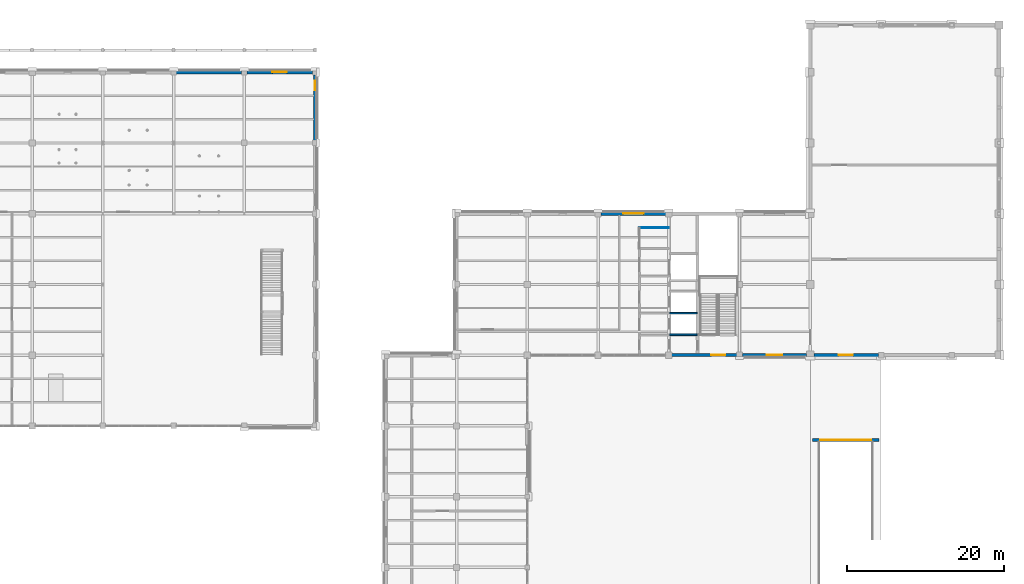
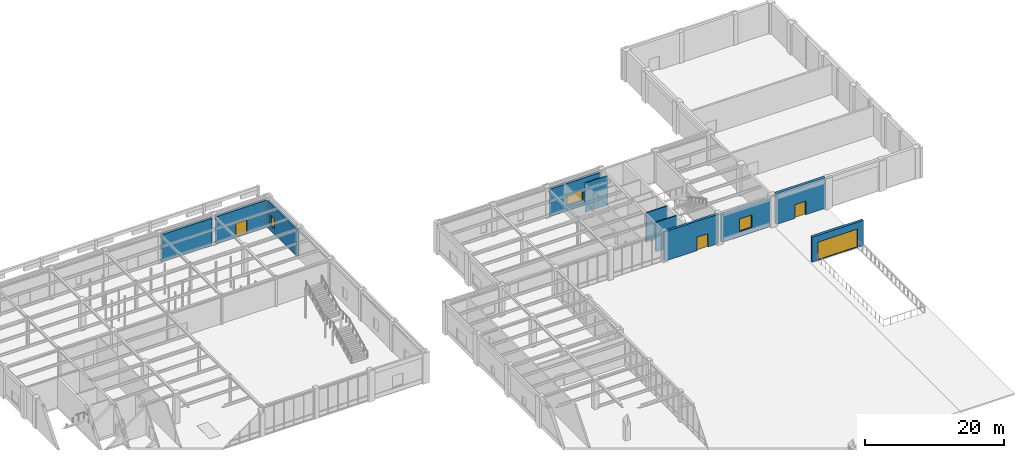
# One storey, part 69 of 77: 11 walls, 4 doors, 3 windows, 7 openings.
"""IFC4 building model written with IfcOpenShell, lengths in metres."""

from ifc_helpers import new_model, si_unit, direction, frame, frame_2d, origin, place, context, subcontext, project, spatial, rectangle, extrude, material, layer, layer_set, type_object, element, fill, save


model = new_model("IFC4")

# Units and contexts
model_context = context("Model", 3, precision=1e-05, world=origin(), true_north=direction((0.0, 1.0)))
body_context = subcontext(model_context, "Body", "Model", "MODEL_VIEW")
ifc_project = project(units=[si_unit("LENGTHUNIT", "METRE"), si_unit("AREAUNIT", "SQUARE_METRE"), si_unit("VOLUMEUNIT", "CUBIC_METRE"), si_unit("PLANEANGLEUNIT", "RADIAN"), si_unit("MASSUNIT", "GRAM", prefix="KILO")], contexts=[model_context])

# Site, building, storey
site_placement = place(None, origin())
site = spatial("IfcSite", under=ifc_project, at=site_placement, CompositionType="ELEMENT")
building_placement = place(site_placement, origin())
building = spatial("IfcBuilding", under=site, at=building_placement, Name="Lykobir Media Centre", CompositionType="ELEMENT")
storey_placement = place(building_placement, origin())
storey = spatial("IfcBuildingStorey", under=building, at=storey_placement, Name="L00", CompositionType="ELEMENT", Elevation=0.0)

# Wall, opening, door
ifc_material_1 = material(Name="Concrete C35/45", Category="concrete")
ifc_layer_1 = layer(ifc_material_1, 0.4599609375, Name="Concrete C35/45")
ifc_layer_set_1 = layer_set([ifc_layer_1], Name="Concrete C35/45")
wall_type_1 = type_object("IfcWallType", Name="EW-ACO-460", PredefinedType="STANDARD", material=ifc_layer_set_1)
wall_1_placement = place(storey_placement, frame((144.485107421875, 72.0, 0.0), z_axis=(0.0, 0.0, 1.0), x_axis=(1.0, 0.0, 0.0)))
wall_1 = element("IfcWall", 1, at=wall_1_placement, inside=storey, type_object=wall_type_1, Name="Exterior wall WALL-L00-0058", PredefinedType="STANDARD", context=body_context, shape_type="SweptSolid", body=[
    extrude(rectangle(XDim=8.179931640625, YDim=0.4599609375, at=frame_2d((4.08984375, 0.0))), origin(), (0.0, 0.0, 1.0), 5.39990234375),
])
opening_1_placement = place(wall_1_placement, frame((3.114990234375, 0.0, 0.0)))
opening_1 = element("IfcOpeningElement", 2, at=opening_1_placement, cuts=wall_1, Name="Opening D-L00-TVE1", PredefinedType="OPENING", context=body_context, shape_type="SweptSolid", body=[
    extrude(rectangle(XDim=1.800048828125, YDim=2.39990234375, at=frame_2d((0.89990234375, 1.199951171875))), frame((0.0, 0.239990234375, 0.0), z_axis=(0.0, -1.0, 0.0), x_axis=(1.0, 0.0, 0.0)), (0.0, 0.0, 1.0), 0.47998046875),
])
ifc_material_2 = material(Name="Anodized Aluminium AW-6060", Category="aluminium")
door_type_1 = type_object("IfcDoorType", Name="ED-1800x2400", OperationType="NOTDEFINED", PredefinedType="DOOR", material=ifc_material_2)
door_1_placement = place(opening_1_placement, frame((1.800048828125, 0.0, 0.0), z_axis=(0.0, 0.0, 1.0), x_axis=(-1.0, 0.0, 0.0)))
door_1 = element("IfcDoor", 3, at=door_1_placement, inside=storey, type_object=door_type_1, Name="Broadcast Studio A south exit door", OperationType="DOUBLE_DOOR_SINGLE_SWING", OverallHeight=2.39990234375, OverallWidth=1.800048828125, PredefinedType="DOOR", context=body_context, shape_type="SweptSolid", body=[
    extrude(rectangle(XDim=1.800048828125, YDim=2.39990234375, at=frame_2d((0.89990234375, 1.199951171875))), frame((0.0, 0.02490234375, 0.0), z_axis=(0.0, -1.0, 0.0), x_axis=(1.0, 0.0, 0.0)), (0.0, 0.0, 1.0), 0.050048828125),
])
fill(opening_1, door_1)

# Wall, opening, window
ifc_material_3 = material(Name="Honed Travertine Stone", Category="masonry")
ifc_layer_2 = layer(ifc_material_3, 0.419921875, Name="Honed Travertine Stone")
ifc_layer_set_2 = layer_set([ifc_layer_2], Name="Honed Travertine Stone")
wall_type_2 = type_object("IfcWallType", Name="EW-TRAV-420", PredefinedType="STANDARD", material=ifc_layer_set_2)
wall_2_placement = place(storey_placement, frame((125.614990234375, 90.0, 0.0), z_axis=(0.0, 0.0, 1.0), x_axis=(-1.0, 0.0, 0.0)))
wall_2 = element("IfcWall", 4, at=wall_2_placement, inside=storey, type_object=wall_type_2, Name="Exterior wall WALL-L00-0074", PredefinedType="STANDARD", context=body_context, shape_type="SweptSolid", body=[
    extrude(rectangle(XDim=8.22998046875, YDim=0.419921875, at=frame_2d((4.114990234375, 0.0))), origin(), (0.0, 0.0, 1.0), 4.794921875),
])
opening_2_placement = place(wall_2_placement, frame((2.81494140625, 0.0, 0.89990234375)))
opening_2 = element("IfcOpeningElement", 5, at=opening_2_placement, cuts=wall_2, Name="Opening WN-2600x1800", PredefinedType="OPENING", context=body_context, shape_type="SweptSolid", body=[
    extrude(rectangle(XDim=2.60009765625, YDim=1.800048828125, at=frame_2d((1.300048828125, 0.89990234375))), frame((0.0, 0.219970703125, 0.0), z_axis=(0.0, -1.0, 0.0), x_axis=(1.0, 0.0, 0.0)), (0.0, 0.0, 1.0), 0.43994140625),
])
ifc_material_4 = material(Name="Low-E Laminated Triple Glazing", Category="glass")
window_type_1 = type_object("IfcWindowType", Name="WN-2600x1800", PartitioningType="SINGLE_PANEL", PredefinedType="WINDOW", material=ifc_material_4)
window_1_placement = place(opening_2_placement, origin())
window_1 = element("IfcWindow", 6, at=window_1_placement, inside=storey, type_object=window_type_1, Name="Window WIN-L00-0003", OverallHeight=1.800048828125, OverallWidth=2.60009765625, PartitioningType="SINGLE_PANEL", PredefinedType="WINDOW", context=body_context, shape_type="SweptSolid", body=[
    extrude(rectangle(XDim=2.60009765625, YDim=1.800048828125, at=frame_2d((1.300048828125, 0.89990234375))), frame((0.0, 0.030029296875, 0.0), z_axis=(0.0, -1.0, 0.0), x_axis=(1.0, 0.0, 0.0)), (0.0, 0.0, 1.0), 0.06005859375),
])
fill(opening_2, window_1)

wall_3_placement = place(storey_placement, frame((135.385009765625, 72.0, 0.0), z_axis=(0.0, 0.0, 1.0), x_axis=(1.0, 0.0, 0.0)))
wall_3 = element("IfcWall", 7, at=wall_3_placement, inside=storey, type_object=wall_type_2, Name="Exterior wall WALL-L00-0092", PredefinedType="STANDARD", context=body_context, shape_type="SweptSolid", body=[
    extrude(rectangle(XDim=8.1298828125, YDim=0.419921875, at=frame_2d((4.06494140625, 0.0))), origin(), (0.0, 0.0, 1.0), 4.794921875),
])
opening_3_placement = place(wall_3_placement, frame((3.06494140625, 0.0, 0.89990234375)))
opening_3 = element("IfcOpeningElement", 8, at=opening_3_placement, cuts=wall_3, Name="Opening WN-2000x2200", PredefinedType="OPENING", context=body_context, shape_type="SweptSolid", body=[
    extrude(rectangle(XDim=2.0, YDim=2.199951171875, at=frame_2d((1.0, 1.10009765625))), frame((0.0, 0.219970703125, 0.0), z_axis=(0.0, -1.0, 0.0), x_axis=(1.0, 0.0, 0.0)), (0.0, 0.0, 1.0), 0.43994140625),
])
window_type_2 = type_object("IfcWindowType", Name="WN-2000x2200", PartitioningType="SINGLE_PANEL", PredefinedType="WINDOW", material=ifc_material_4)
window_2_placement = place(opening_3_placement, origin())
window_2 = element("IfcWindow", 9, at=window_2_placement, inside=storey, type_object=window_type_2, Name="Window WIN-L00-0016", OverallHeight=2.199951171875, OverallWidth=2.0, PartitioningType="SINGLE_PANEL", PredefinedType="WINDOW", context=body_context, shape_type="SweptSolid", body=[
    extrude(rectangle(XDim=2.0, YDim=2.199951171875, at=frame_2d((1.0, 1.10009765625))), frame((0.0, 0.030029296875, 0.0), z_axis=(0.0, -1.0, 0.0), x_axis=(1.0, 0.0, 0.0)), (0.0, 0.0, 1.0), 0.06005859375),
])
fill(opening_3, window_2)

wall_4_placement = place(storey_placement, frame((81.0, 99.3349609375, 0.0), z_axis=(0.0, 0.0, 1.0), x_axis=(0.0, 1.0, 0.0)))
wall_4 = element("IfcWall", 10, at=wall_4_placement, inside=storey, type_object=wall_type_2, Name="Exterior wall WALL-L00-0100", PredefinedType="STANDARD", context=body_context, shape_type="SweptSolid", body=[
    extrude(rectangle(XDim=8.330078125, YDim=0.419921875, at=frame_2d((4.1650390625, 0.0))), origin(), (0.0, 0.0, 1.0), 4.794921875),
])
opening_4_placement = place(wall_4_placement, frame((6.3798828125, 0.0, 0.89990234375)))
opening_4 = element("IfcOpeningElement", 11, at=opening_4_placement, cuts=wall_4, Name="Opening WN-1200x1800", PredefinedType="OPENING", context=body_context, shape_type="SweptSolid", body=[
    extrude(rectangle(XDim=1.199951171875, YDim=1.800048828125, at=frame_2d((0.60009765625, 0.89990234375))), frame((0.0, 0.219970703125, 0.0), z_axis=(0.0, -1.0, 0.0), x_axis=(1.0, 0.0, 0.0)), (0.0, 0.0, 1.0), 0.43994140625),
])
window_type_3 = type_object("IfcWindowType", Name="WN-1200x1800", PartitioningType="SINGLE_PANEL", PredefinedType="WINDOW", material=ifc_material_4)
window_3_placement = place(opening_4_placement, origin())
window_3 = element("IfcWindow", 12, at=window_3_placement, inside=storey, type_object=window_type_3, Name="Window WIN-L00-0022", OverallHeight=1.800048828125, OverallWidth=1.199951171875, PartitioningType="SINGLE_PANEL", PredefinedType="WINDOW", context=body_context, shape_type="SweptSolid", body=[
    extrude(rectangle(XDim=1.199951171875, YDim=1.800048828125, at=frame_2d((0.60009765625, 0.89990234375))), frame((0.0, 0.030029296875, 0.0), z_axis=(0.0, -1.0, 0.0), x_axis=(1.0, 0.0, 0.0)), (0.0, 0.0, 1.0), 0.06005859375),
])
fill(opening_4, window_3)

# Wall
wall_5_placement = place(storey_placement, frame((71.6650390625, 108.0, 0.0), z_axis=(0.0, 0.0, 1.0), x_axis=(-1.0, 0.0, 0.0)))
element("IfcWall", 13, at=wall_5_placement, inside=storey, type_object=wall_type_2, Name="Exterior wall WALL-L00-0105", PredefinedType="STANDARD", context=body_context, shape_type="SweptSolid", body=[
    extrude(rectangle(XDim=8.330078125, YDim=0.419921875, at=frame_2d((4.1650390625, 0.0))), origin(), (0.0, 0.0, 1.0), 4.794921875),
])

# Wall, opening, door
wall_6_placement = place(storey_placement, frame((80.6650390625, 108.0, 0.0), z_axis=(0.0, 0.0, 1.0), x_axis=(-1.0, 0.0, 0.0)))
wall_6 = element("IfcWall", 14, at=wall_6_placement, inside=storey, type_object=wall_type_2, Name="Exterior wall WALL-L00-0106", PredefinedType="STANDARD", context=body_context, shape_type="SweptSolid", body=[
    extrude(rectangle(XDim=8.330078125, YDim=0.419921875, at=frame_2d((4.1650390625, 0.0))), origin(), (0.0, 0.0, 1.0), 4.794921875),
])
opening_5_placement = place(wall_6_placement, frame((3.239990234375, 0.0, 0.0)))
opening_5 = element("IfcOpeningElement", 15, at=opening_5_placement, cuts=wall_6, Name="Opening D-L00-E06", PredefinedType="OPENING", context=body_context, shape_type="SweptSolid", body=[
    extrude(rectangle(XDim=1.85009765625, YDim=2.449951171875, at=frame_2d((0.925048828125, 1.22509765625))), frame((0.0, 0.219970703125, 0.0), z_axis=(0.0, -1.0, 0.0), x_axis=(1.0, 0.0, 0.0)), (0.0, 0.0, 1.0), 0.43994140625),
])
door_type_2 = type_object("IfcDoorType", Name="ED-1850x2450", OperationType="NOTDEFINED", PredefinedType="DOOR", material=ifc_material_2)
door_2_placement = place(opening_5_placement, frame((1.85009765625, 0.0, 0.0), z_axis=(0.0, 0.0, 1.0), x_axis=(-1.0, 0.0, 0.0)))
door_2 = element("IfcDoor", 16, at=door_2_placement, inside=storey, type_object=door_type_2, Name="North Avenue Pasaj corner entrance", OperationType="DOUBLE_DOOR_SINGLE_SWING", OverallHeight=2.449951171875, OverallWidth=1.85009765625, PredefinedType="DOOR", context=body_context, shape_type="SweptSolid", body=[
    extrude(rectangle(XDim=1.85009765625, YDim=2.449951171875, at=frame_2d((0.925048828125, 1.22509765625))), frame((0.0, 0.02490234375, 0.0), z_axis=(0.0, -1.0, 0.0), x_axis=(1.0, 0.0, 0.0)), (0.0, 0.0, 1.0), 0.050048828125),
])
fill(opening_5, door_2)

wall_7_placement = place(storey_placement, frame((144.25, 61.199951171875, 0.0), z_axis=(0.0, 0.0, 1.0), x_axis=(1.0, 0.0, 0.0)))
wall_7 = element("IfcWall", 17, at=wall_7_placement, inside=storey, type_object=wall_type_2, Name="Vehicle ramp portal wall", PredefinedType="STANDARD", context=body_context, shape_type="SweptSolid", body=[
    extrude(rectangle(XDim=8.5, YDim=0.419921875, at=frame_2d((4.25, 0.0))), origin(), (0.0, 0.0, 1.0), 4.39990234375),
])
opening_6_placement = place(wall_7_placement, frame((1.0, 0.0, 0.0)))
opening_6 = element("IfcOpeningElement", 18, at=opening_6_placement, cuts=wall_7, Name="Opening D-L00-VSH1", PredefinedType="OPENING", context=body_context, shape_type="SweptSolid", body=[
    extrude(rectangle(XDim=6.5, YDim=3.199951171875, at=frame_2d((3.25, 1.60009765625))), frame((0.0, 0.219970703125, 0.0), z_axis=(0.0, -1.0, 0.0), x_axis=(1.0, 0.0, 0.0)), (0.0, 0.0, 1.0), 0.43994140625),
])
door_type_3 = type_object("IfcDoorType", Name="ED-6500x3200", OperationType="NOTDEFINED", PredefinedType="DOOR", material=ifc_material_2)
door_3_placement = place(opening_6_placement, origin())
door_3 = element("IfcDoor", 19, at=door_3_placement, inside=storey, type_object=door_type_3, Name="Car park ramp roller shutter VSH1", OperationType="ROLLINGUP", OverallHeight=3.199951171875, OverallWidth=6.5, PredefinedType="DOOR", context=body_context, shape_type="SweptSolid", body=[
    extrude(rectangle(XDim=6.5, YDim=3.199951171875, at=frame_2d((3.25, 1.60009765625))), frame((0.0, 0.02490234375, 0.0), z_axis=(0.0, -1.0, 0.0), x_axis=(1.0, 0.0, 0.0)), (0.0, 0.0, 1.0), 0.050048828125),
])
fill(opening_6, door_3)

# Walls
ifc_material_5 = material(Name="Concrete C30/37", Category="concrete")
ifc_layer_3 = layer(ifc_material_5, 0.199951171875, Name="Concrete C30/37")
ifc_layer_set_3 = layer_set([ifc_layer_3], Name="Concrete C30/37")
wall_type_3 = type_object("IfcWallType", Name="IW-SHAFT-200", PredefinedType="PARTITIONING", material=ifc_layer_set_3)
for number, where, z_axis, x_axis, name in (
    (20, (126.10009765625, 74.60009765625, 0.0), (0.0, 0.0, 1.0), (1.0, 0.0, 0.0), "Wall IWALL-L00-0477"),
    (21, (126.10009765625, 77.35009765625, 0.0), (0.0, 0.0, 1.0), (1.0, 0.0, 0.0), "Wall IWALL-L00-0478"),
):
    element("IfcWall", number, at=place(storey_placement, frame(where, z_axis=z_axis, x_axis=x_axis)), inside=storey, type_object=wall_type_3, Name=name, PredefinedType="PARTITIONING", context=body_context, shape_type="SweptSolid", body=[
        extrude(rectangle(XDim=3.5, YDim=0.199951171875, at=frame_2d((1.75, 0.0))), origin(), (0.0, 0.0, 1.0), 5.159912109375),
    ])
ifc_material_6 = material(Name="Acoustic Gypsum Board", Category="gypsum")
ifc_layer_4 = layer(ifc_material_6, 0.094970703125, Name="Acoustic Gypsum Board")
ifc_layer_set_4 = layer_set([ifc_layer_4], Name="Acoustic Gypsum Board")
wall_type_4 = type_object("IfcWallType", Name="IW-WC-095", PredefinedType="PARTITIONING", material=ifc_layer_set_4)
wall_8_placement = place(storey_placement, frame((122.25, 88.199951171875, 0.0), z_axis=(0.0, 0.0, 1.0), x_axis=(1.0, 0.0, 0.0)))
element("IfcWall", 22, at=wall_8_placement, inside=storey, type_object=wall_type_4, Name="Wall IWALL-L00-0488", PredefinedType="PARTITIONING", context=body_context, shape_type="SweptSolid", body=[
    extrude(rectangle(XDim=3.75, YDim=0.094970703125, at=frame_2d((1.875, 0.0))), origin(), (0.0, 0.0, 1.0), 5.159912109375),
])

# Wall, opening, door
ifc_material_7 = material(Name="Concrete C40/50", Category="concrete")
ifc_layer_5 = layer(ifc_material_7, 0.39990234375, Name="Concrete C40/50")
ifc_layer_set_5 = layer_set([ifc_layer_5], Name="Concrete C40/50")
wall_type_5 = type_object("IfcWallType", Name="SW-CORE-400-E", PredefinedType="SHEAR", material=ifc_layer_set_5)
wall_9_placement = place(storey_placement, frame((126.0, 72.0, 0.0), z_axis=(0.0, 0.0, 1.0), x_axis=(1.0, 0.0, 0.0)))
wall_9 = element("IfcWall", 23, at=wall_9_placement, inside=storey, type_object=wall_type_5, Name="Wall IWALL-L00-0472", PredefinedType="SHEAR", context=body_context, shape_type="SweptSolid", body=[
    extrude(rectangle(XDim=9.0, YDim=0.39990234375, at=frame_2d((4.5, 0.0))), origin(), (0.0, 0.0, 1.0), 5.159912109375),
])
opening_7_placement = place(wall_9_placement, frame((5.39990234375, 0.0, 0.0)))
opening_7 = element("IfcOpeningElement", 24, at=opening_7_placement, cuts=wall_9, Name="Opening D-L00-SD4", PredefinedType="OPENING", context=body_context, shape_type="SweptSolid", body=[
    extrude(rectangle(XDim=1.800048828125, YDim=2.35009765625, at=frame_2d((0.89990234375, 1.175048828125))), frame((0.0, 0.2099609375, 0.0), z_axis=(0.0, -1.0, 0.0), x_axis=(1.0, 0.0, 0.0)), (0.0, 0.0, 1.0), 0.419921875),
])
door_type_4 = type_object("IfcDoorType", Name="SD-1800x2350", OperationType="NOTDEFINED", PredefinedType="DOOR", material=ifc_material_2)
door_4_placement = place(opening_7_placement, frame((1.800048828125, 0.0, 0.0), z_axis=(0.0, 0.0, 1.0), x_axis=(-1.0, 0.0, 0.0)))
door_4 = element("IfcDoor", 25, at=door_4_placement, inside=storey, type_object=door_type_4, Name="Stair ST-4 exterior exit discharge door", OperationType="DOUBLE_DOOR_SINGLE_SWING", OverallHeight=2.35009765625, OverallWidth=1.800048828125, PredefinedType="DOOR", context=body_context, shape_type="SweptSolid", body=[
    extrude(rectangle(XDim=1.800048828125, YDim=2.35009765625, at=frame_2d((0.89990234375, 1.175048828125))), frame((0.0, 0.02490234375, 0.0), z_axis=(0.0, -1.0, 0.0), x_axis=(1.0, 0.0, 0.0)), (0.0, 0.0, 1.0), 0.050048828125),
])
fill(opening_7, door_4)

save(model, "model.ifc")
